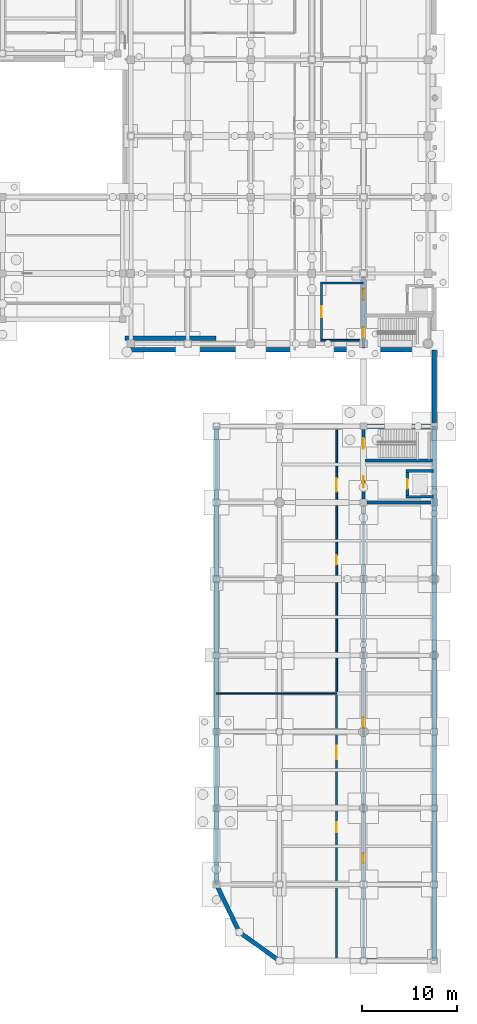
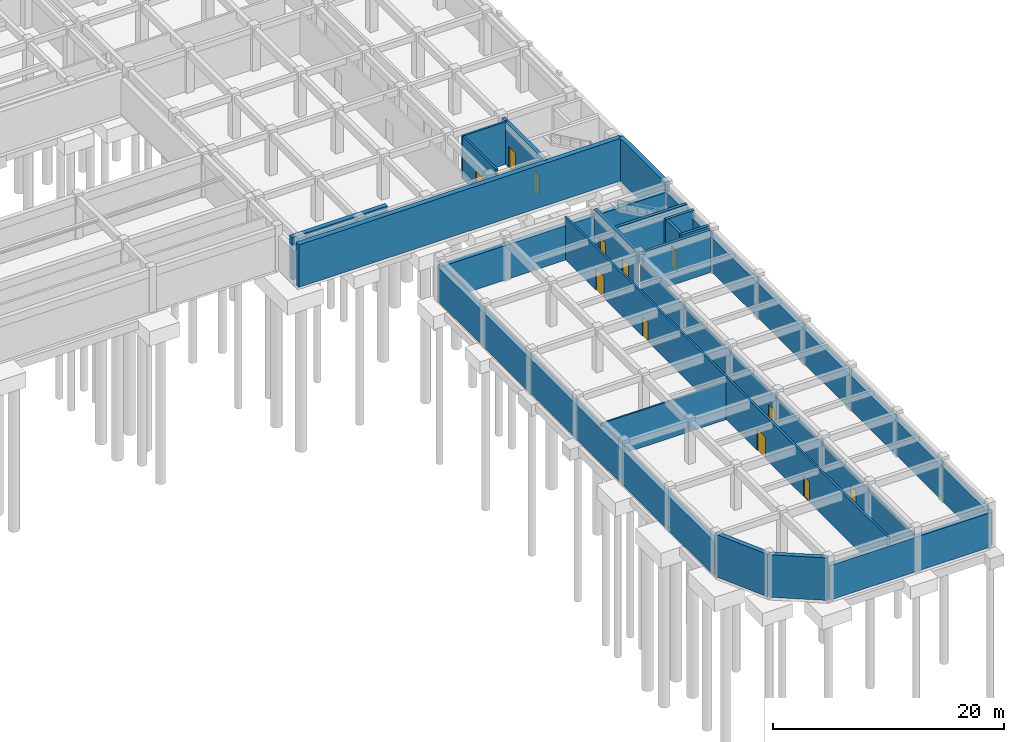
# One storey, part 26 of 35: 23 walls, 12 doors, 12 openings.
"""IFC4 building model written with IfcOpenShell, lengths in metres."""

from ifc_helpers import new_model, si_unit, direction, frame, frame_2d, origin, place, context, subcontext, project, spatial, rectangle, extrude, material, layer, layer_set, type_object, element, fill, save


model = new_model("IFC4")

# Units and contexts
model_context = context("Model", 3, precision=1e-05, world=origin(), true_north=direction((0.0, 1.0)))
body_context = subcontext(model_context, "Body", "Model", "MODEL_VIEW")
ifc_project = project(units=[si_unit("LENGTHUNIT", "METRE"), si_unit("AREAUNIT", "SQUARE_METRE"), si_unit("VOLUMEUNIT", "CUBIC_METRE"), si_unit("PLANEANGLEUNIT", "RADIAN"), si_unit("MASSUNIT", "GRAM", prefix="KILO")], contexts=[model_context])

# Site, building, storey
site_placement = place(None, origin())
site = spatial("IfcSite", under=ifc_project, at=site_placement, CompositionType="ELEMENT")
building_placement = place(site_placement, origin())
building = spatial("IfcBuilding", under=site, at=building_placement, Name="Cinchona Park Media Centre", CompositionType="ELEMENT")
storey_placement = place(building_placement, frame((0.0, 0.0, -4.800048828125)))
storey = spatial("IfcBuildingStorey", under=building, at=storey_placement, Name="B1", CompositionType="ELEMENT", Elevation=-4.800048828125)

# Wall, openings, doors
ifc_material_1 = material(Name="Acoustic Double-Stud Gypsum Partition", Category="gypsum")
ifc_layer_1 = layer(ifc_material_1, 0.2099609375)
ifc_layer_set_1 = layer_set([ifc_layer_1], Name="Acoustic Double-Stud Gypsum Partition")
wall_type_1 = type_object("IfcWallType", Name="WALL-W-AC210", PredefinedType="PARTITIONING", material=ifc_layer_set_1)
wall_1_placement = place(storey_placement, frame((161.800048828125, 7.60009765625, 0.0), z_axis=(0.0, 0.0, 1.0), x_axis=(0.0, 1.0, 0.0)))
wall_1 = element("IfcWall", 1, at=wall_1_placement, inside=storey, type_object=wall_type_1, Name="Interior Wall W-AC210 B1", PredefinedType="PARTITIONING", context=body_context, shape_type="SweptSolid", body=[
    extrude(rectangle(XDim=28.0, YDim=0.2099609375, at=frame_2d((14.0, 0.0))), origin(), (0.0, 0.0, 1.0), 4.5),
])
opening_1_placement = place(wall_1_placement, frame((13.47998046875, 0.0, 0.0)))
opening_1 = element("IfcOpeningElement", 2, at=opening_1_placement, cuts=wall_1, Name="Opening D165", PredefinedType="OPENING", context=body_context, shape_type="SweptSolid", body=[
    extrude(rectangle(XDim=1.0400390625, YDim=2.199951171875, at=frame_2d((0.52001953125, 1.10009765625))), frame((0.0, 0.114990234375, 0.0), z_axis=(0.0, -1.0, 0.0), x_axis=(1.0, 0.0, 0.0)), (0.0, 0.0, 1.0), 0.22998046875),
])
opening_2_placement = place(wall_1_placement, frame((21.139892578125, 0.0, 0.0)))
opening_2 = element("IfcOpeningElement", 3, at=opening_2_placement, cuts=wall_1, Name="Opening D166", PredefinedType="OPENING", context=body_context, shape_type="SweptSolid", body=[
    extrude(rectangle(XDim=1.39990234375, YDim=2.25, at=frame_2d((0.699951171875, 1.125))), frame((0.0, 0.114990234375, 0.0), z_axis=(0.0, -1.0, 0.0), x_axis=(1.0, 0.0, 0.0)), (0.0, 0.0, 1.0), 0.22998046875),
])
ifc_material_2 = material(Name="Acoustic Double-Seal Steel Door", Category="steel")
door_type_1 = type_object("IfcDoorType", Name="DOOR-DT-AC", OperationType="NOTDEFINED", PredefinedType="DOOR", material=ifc_material_2)
door_1_placement = place(opening_2_placement, origin())
door_1 = element("IfcDoor", 4, at=door_1_placement, inside=storey, type_object=door_type_1, Name="Interior Door D166", OperationType="SINGLE_SWING_RIGHT", OverallHeight=2.25, OverallWidth=1.39990234375, PredefinedType="DOOR", context=body_context, shape_type="SweptSolid", body=[
    extrude(rectangle(XDim=1.39990234375, YDim=2.25, at=frame_2d((0.699951171875, 1.125))), frame((0.0, 0.02490234375, 0.0), z_axis=(0.0, -1.0, 0.0), x_axis=(1.0, 0.0, 0.0)), (0.0, 0.0, 1.0), 0.050048828125),
])
fill(opening_2, door_1)
ifc_material_3 = material(Name="Fire-Rated Acoustic Timber-Steel Door", Category="steel")
door_type_2 = type_object("IfcDoorType", Name="DOOR-DT25", OperationType="NOTDEFINED", PredefinedType="DOOR", material=ifc_material_3)
door_2_placement = place(opening_1_placement, origin())
door_2 = element("IfcDoor", 5, at=door_2_placement, inside=storey, type_object=door_type_2, Name="Interior Door D165", OperationType="SINGLE_SWING_LEFT", OverallHeight=2.199951171875, OverallWidth=1.0400390625, PredefinedType="DOOR", context=body_context, shape_type="SweptSolid", body=[
    extrude(rectangle(XDim=1.0400390625, YDim=2.199951171875, at=frame_2d((0.52001953125, 1.10009765625))), frame((0.0, 0.02490234375, 0.0), z_axis=(0.0, -1.0, 0.0), x_axis=(1.0, 0.0, 0.0)), (0.0, 0.0, 1.0), 0.050048828125),
])
fill(opening_1, door_2)

# Wall
ifc_material_4 = material(Name="Concrete C40/50", Category="concrete")
ifc_layer_2 = layer(ifc_material_4, 0.300048828125)
ifc_layer_set_2 = layer_set([ifc_layer_2], Name="Concrete C40/50")
wall_type_2 = type_object("IfcWallType", Name="WALL-W-CR300", PredefinedType="SHEAR", material=ifc_layer_set_2)
wall_2_placement = place(storey_placement, frame((164.951904296875, 55.60009765625, 0.0), z_axis=(0.0, 0.0, 1.0), x_axis=(1.0, 0.0, 0.0)))
element("IfcWall", 6, at=wall_2_placement, inside=storey, type_object=wall_type_2, Name="Core Shear Wall W-CR300 B1", PredefinedType="SHEAR", context=body_context, shape_type="SweptSolid", body=[
    extrude(rectangle(XDim=6.696044921875, YDim=0.300048828125, at=frame_2d((3.34814453125, 0.0))), origin(), (0.0, 0.0, 1.0), 4.5),
])

# Wall, openings, doors
wall_3_placement = place(storey_placement, frame((164.60009765625, 55.951904296875, 0.0), z_axis=(0.0, 0.0, 1.0), x_axis=(0.0, 1.0, 0.0)))
wall_3 = element("IfcWall", 7, at=wall_3_placement, inside=storey, type_object=wall_type_2, Name="Core Shear Wall W-CR300 B1", PredefinedType="SHEAR", context=body_context, shape_type="SweptSolid", body=[
    extrude(rectangle(XDim=7.296142578125, YDim=0.300048828125, at=frame_2d((3.64794921875, 0.0))), origin(), (0.0, 0.0, 1.0), 4.5),
])
opening_3_placement = place(wall_3_placement, frame((5.298095703125, 0.0, 0.0)))
opening_3 = element("IfcOpeningElement", 8, at=opening_3_placement, cuts=wall_3, Name="Opening D040", PredefinedType="OPENING", context=body_context, shape_type="SweptSolid", body=[
    extrude(rectangle(XDim=1.10009765625, YDim=2.14990234375, at=frame_2d((0.550048828125, 1.074951171875))), frame((0.0, 0.159912109375, 0.0), z_axis=(0.0, -1.0, 0.0), x_axis=(1.0, 0.0, 0.0)), (0.0, 0.0, 1.0), 0.320068359375),
])
opening_4_placement = place(wall_3_placement, frame((1.27294921875, 0.0, 0.0)))
opening_4 = element("IfcOpeningElement", 9, at=opening_4_placement, cuts=wall_3, Name="Opening D041", PredefinedType="OPENING", context=body_context, shape_type="SweptSolid", body=[
    extrude(rectangle(XDim=1.14990234375, YDim=2.199951171875, at=frame_2d((0.574951171875, 1.10009765625))), frame((0.0, 0.159912109375, 0.0), z_axis=(0.0, -1.0, 0.0), x_axis=(1.0, 0.0, 0.0)), (0.0, 0.0, 1.0), 0.320068359375),
])
ifc_material_5 = material(Name="Insulated Fire-Rated Steel Door", Category="steel")
door_type_3 = type_object("IfcDoorType", Name="DOOR-DT-FF", OperationType="NOTDEFINED", PredefinedType="DOOR", material=ifc_material_5)
door_3_placement = place(opening_4_placement, origin())
door_3 = element("IfcDoor", 10, at=door_3_placement, inside=storey, type_object=door_type_3, Name="Interior Door D041", OperationType="SINGLE_SWING_LEFT", OverallHeight=2.199951171875, OverallWidth=1.14990234375, PredefinedType="DOOR", context=body_context, shape_type="SweptSolid", body=[
    extrude(rectangle(XDim=1.14990234375, YDim=2.199951171875, at=frame_2d((0.574951171875, 1.10009765625))), frame((0.0, 0.02490234375, 0.0), z_axis=(0.0, -1.0, 0.0), x_axis=(1.0, 0.0, 0.0)), (0.0, 0.0, 1.0), 0.050048828125),
])
fill(opening_4, door_3)
ifc_material_6 = material(Name="Insulated Fire-Rated Steel Door", Category="steel")
door_type_4 = type_object("IfcDoorType", Name="DOOR-DT-ST", OperationType="NOTDEFINED", PredefinedType="DOOR", material=ifc_material_6)
door_4_placement = place(opening_3_placement, origin())
door_4 = element("IfcDoor", 11, at=door_4_placement, inside=storey, type_object=door_type_4, Name="Interior Door D040", OperationType="SINGLE_SWING_RIGHT", OverallHeight=2.14990234375, OverallWidth=1.10009765625, PredefinedType="DOOR", context=body_context, shape_type="SweptSolid", body=[
    extrude(rectangle(XDim=1.10009765625, YDim=2.14990234375, at=frame_2d((0.550048828125, 1.074951171875))), frame((0.0, 0.02490234375, 0.0), z_axis=(0.0, -1.0, 0.0), x_axis=(1.0, 0.0, 0.0)), (0.0, 0.0, 1.0), 0.050048828125),
])
fill(opening_3, door_4)

# Wall
wall_4_placement = place(storey_placement, frame((164.75, 60.0, 0.0), z_axis=(0.0, 0.0, 1.0), x_axis=(1.0, 0.0, 0.0)))
element("IfcWall", 12, at=wall_4_placement, inside=storey, type_object=wall_type_2, Name="Core Shear Wall W-CR300 B1", PredefinedType="SHEAR", context=body_context, shape_type="SweptSolid", body=[
    extrude(rectangle(XDim=7.10009765625, YDim=0.300048828125, at=frame_2d((3.550048828125, 0.0))), origin(), (0.0, 0.0, 1.0), 4.5),
])

# Wall, openings, doors
ifc_material_7 = material(Name="Concrete C40/50", Category="concrete")
ifc_layer_3 = layer(ifc_material_7, 0.35009765625)
ifc_layer_set_3 = layer_set([ifc_layer_3], Name="Concrete C40/50")
wall_type_3 = type_object("IfcWallType", Name="WALL-W-CR350", PredefinedType="SHEAR", material=ifc_layer_set_3)
wall_5_placement = place(storey_placement, frame((164.60009765625, 71.77490234375, 0.0), z_axis=(0.0, 0.0, 1.0), x_axis=(0.0, 1.0, 0.0)))
wall_5 = element("IfcWall", 13, at=wall_5_placement, inside=storey, type_object=wall_type_3, Name="Core Shear Wall W-CR350 B1", PredefinedType="SHEAR", context=body_context, shape_type="SweptSolid", body=[
    extrude(rectangle(XDim=7.423095703125, YDim=0.35009765625, at=frame_2d((3.71142578125, 0.0))), origin(), (0.0, 0.0, 1.0), 4.5),
])
opening_5_placement = place(wall_5_placement, frame((1.074951171875, 0.0, 0.0)))
opening_5 = element("IfcOpeningElement", 14, at=opening_5_placement, cuts=wall_5, Name="Opening D026", PredefinedType="OPENING", context=body_context, shape_type="SweptSolid", body=[
    extrude(rectangle(XDim=1.10009765625, YDim=2.14990234375, at=frame_2d((0.550048828125, 1.074951171875))), frame((0.0, 0.18505859375, 0.0), z_axis=(0.0, -1.0, 0.0), x_axis=(1.0, 0.0, 0.0)), (0.0, 0.0, 1.0), 0.3701171875),
])
opening_6_placement = place(wall_5_placement, frame((5.050048828125, 0.0, 0.0)))
opening_6 = element("IfcOpeningElement", 15, at=opening_6_placement, cuts=wall_5, Name="Opening D027", PredefinedType="OPENING", context=body_context, shape_type="SweptSolid", body=[
    extrude(rectangle(XDim=1.14990234375, YDim=2.199951171875, at=frame_2d((0.574951171875, 1.10009765625))), frame((0.0, 0.18505859375, 0.0), z_axis=(0.0, -1.0, 0.0), x_axis=(1.0, 0.0, 0.0)), (0.0, 0.0, 1.0), 0.3701171875),
])
door_5_placement = place(opening_6_placement, origin())
door_5 = element("IfcDoor", 16, at=door_5_placement, inside=storey, type_object=door_type_3, Name="Interior Door D027", OperationType="SINGLE_SWING_LEFT", OverallHeight=2.199951171875, OverallWidth=1.14990234375, PredefinedType="DOOR", context=body_context, shape_type="SweptSolid", body=[
    extrude(rectangle(XDim=1.14990234375, YDim=2.199951171875, at=frame_2d((0.574951171875, 1.10009765625))), frame((0.0, 0.02490234375, 0.0), z_axis=(0.0, -1.0, 0.0), x_axis=(1.0, 0.0, 0.0)), (0.0, 0.0, 1.0), 0.050048828125),
])
fill(opening_6, door_5)
door_6_placement = place(opening_5_placement, origin())
door_6 = element("IfcDoor", 17, at=door_6_placement, inside=storey, type_object=door_type_4, Name="Interior Door D026", OperationType="SINGLE_SWING_RIGHT", OverallHeight=2.14990234375, OverallWidth=1.10009765625, PredefinedType="DOOR", context=body_context, shape_type="SweptSolid", body=[
    extrude(rectangle(XDim=1.10009765625, YDim=2.14990234375, at=frame_2d((0.550048828125, 1.074951171875))), frame((0.0, 0.02490234375, 0.0), z_axis=(0.0, -1.0, 0.0), x_axis=(1.0, 0.0, 0.0)), (0.0, 0.0, 1.0), 0.050048828125),
])
fill(opening_5, door_6)

# Wall
ifc_material_8 = material(Name="Fire-Rated Gypsum Stud Partition", Category="gypsum")
ifc_layer_4 = layer(ifc_material_8, 0.14990234375)
ifc_layer_set_4 = layer_set([ifc_layer_4], Name="Fire-Rated Gypsum Stud Partition")
wall_type_4 = type_object("IfcWallType", Name="WALL-W-PT150", PredefinedType="PARTITIONING", material=ifc_layer_set_4)
wall_6_placement = place(storey_placement, frame((149.199951171875, 35.60009765625, 0.0), z_axis=(0.0, 0.0, 1.0), x_axis=(1.0, 0.0, 0.0)))
element("IfcWall", 18, at=wall_6_placement, inside=storey, type_object=wall_type_4, Name="Interior Wall W-PT150 B1", PredefinedType="PARTITIONING", context=body_context, shape_type="SweptSolid", body=[
    extrude(rectangle(XDim=12.60009765625, YDim=0.14990234375, at=frame_2d((6.300048828125, 0.0))), origin(), (0.0, 0.0, 1.0), 3.949951171875),
])

# Wall, openings, doors
ifc_material_9 = material(Name="Fire-Rated Gypsum Stud Partition", Category="gypsum")
ifc_layer_5 = layer(ifc_material_9, 0.1650390625)
ifc_layer_set_5 = layer_set([ifc_layer_5], Name="Fire-Rated Gypsum Stud Partition")
wall_type_5 = type_object("IfcWallType", Name="WALL-W-PT165", PredefinedType="PARTITIONING", material=ifc_layer_set_5)
wall_7_placement = place(storey_placement, frame((164.60009765625, 55.248046875, 0.0), z_axis=(0.0, 0.0, 1.0), x_axis=(0.0, -1.0, 0.0)))
wall_7 = element("IfcWall", 19, at=wall_7_placement, inside=storey, type_object=wall_type_5, Name="Interior Wall W-PT165 B1", PredefinedType="PARTITIONING", context=body_context, shape_type="SweptSolid", body=[
    extrude(rectangle(XDim=47.296142578125, YDim=0.1650390625, at=frame_2d((23.64794921875, 0.0))), origin(), (0.0, 0.0, 1.0), 3.650146484375),
])
opening_7_placement = place(wall_7_placement, frame((22.179931640625, 0.0, 0.0)))
opening_7 = element("IfcOpeningElement", 20, at=opening_7_placement, cuts=wall_7, Name="Opening D169", PredefinedType="OPENING", context=body_context, shape_type="SweptSolid", body=[
    extrude(rectangle(XDim=1.0, YDim=2.10009765625, at=frame_2d((0.5, 1.050048828125))), frame((0.0, 0.092529296875, 0.0), z_axis=(0.0, -1.0, 0.0), x_axis=(1.0, 0.0, 0.0)), (0.0, 0.0, 1.0), 0.18505859375),
])
opening_8_placement = place(wall_7_placement, frame((36.39111328125, 0.0, 0.0)))
opening_8 = element("IfcOpeningElement", 21, at=opening_8_placement, cuts=wall_7, Name="Opening D170", PredefinedType="OPENING", context=body_context, shape_type="SweptSolid", body=[
    extrude(rectangle(XDim=1.0, YDim=2.10009765625, at=frame_2d((0.5, 1.050048828125))), frame((0.0, 0.092529296875, 0.0), z_axis=(0.0, -1.0, 0.0), x_axis=(1.0, 0.0, 0.0)), (0.0, 0.0, 1.0), 0.18505859375),
])
ifc_material_10 = material(Name="Fire-Rated Acoustic Timber-Steel Door", Category="steel")
door_type_5 = type_object("IfcDoorType", Name="DOOR-DT04", OperationType="NOTDEFINED", PredefinedType="DOOR", material=ifc_material_10)
door_7_placement = place(opening_7_placement, origin())
door_7 = element("IfcDoor", 22, at=door_7_placement, inside=storey, type_object=door_type_5, Name="Interior Door D169", OperationType="SINGLE_SWING_LEFT", OverallHeight=2.10009765625, OverallWidth=1.0, PredefinedType="DOOR", context=body_context, shape_type="SweptSolid", body=[
    extrude(rectangle(XDim=1.0, YDim=2.10009765625, at=frame_2d((0.5, 1.050048828125))), frame((0.0, 0.02490234375, 0.0), z_axis=(0.0, -1.0, 0.0), x_axis=(1.0, 0.0, 0.0)), (0.0, 0.0, 1.0), 0.050048828125),
])
fill(opening_7, door_7)
door_8_placement = place(opening_8_placement, origin())
door_8 = element("IfcDoor", 23, at=door_8_placement, inside=storey, type_object=door_type_5, Name="Interior Door D170", OperationType="SINGLE_SWING_RIGHT", OverallHeight=2.10009765625, OverallWidth=1.0, PredefinedType="DOOR", context=body_context, shape_type="SweptSolid", body=[
    extrude(rectangle(XDim=1.0, YDim=2.10009765625, at=frame_2d((0.5, 1.050048828125))), frame((0.0, 0.02490234375, 0.0), z_axis=(0.0, -1.0, 0.0), x_axis=(1.0, 0.0, 0.0)), (0.0, 0.0, 1.0), 0.050048828125),
])
fill(opening_8, door_8)

# Walls
ifc_material_11 = material(Name="Fire-Rated Gypsum Stud Partition", Category="gypsum")
ifc_layer_6 = layer(ifc_material_11, 0.18994140625)
ifc_layer_set_6 = layer_set([ifc_layer_6], Name="Fire-Rated Gypsum Stud Partition")
wall_type_6 = type_object("IfcWallType", Name="WALL-W-PT190", PredefinedType="PARTITIONING", material=ifc_layer_set_6)
wall_8_placement = place(storey_placement, frame((160.10498046875, 72.60009765625, 0.0), z_axis=(0.0, 0.0, 1.0), x_axis=(1.0, 0.0, 0.0)))
element("IfcWall", 24, at=wall_8_placement, inside=storey, type_object=wall_type_6, Name="Interior Wall W-PT190 B1", PredefinedType="PARTITIONING", context=body_context, shape_type="SweptSolid", body=[
    extrude(rectangle(XDim=4.093017578125, YDim=0.18994140625, at=frame_2d((2.04638671875, 0.0))), origin(), (0.0, 0.0, 1.0), 3.85009765625),
])
wall_9_placement = place(storey_placement, frame((160.10498046875, 78.60009765625, 0.0), z_axis=(0.0, 0.0, 1.0), x_axis=(1.0, 0.0, 0.0)))
element("IfcWall", 25, at=wall_9_placement, inside=storey, type_object=wall_type_6, Name="Interior Wall W-PT190 B1", PredefinedType="PARTITIONING", context=body_context, shape_type="SweptSolid", body=[
    extrude(rectangle(XDim=4.4951171875, YDim=0.18994140625, at=frame_2d((2.24755859375, 0.0))), origin(), (0.0, 0.0, 1.0), 4.5),
])

# Wall, opening, door
wall_10_placement = place(storey_placement, frame((160.199951171875, 72.695068359375, 0.0), z_axis=(0.0, 0.0, 1.0), x_axis=(0.0, 1.0, 0.0)))
wall_10 = element("IfcWall", 26, at=wall_10_placement, inside=storey, type_object=wall_type_6, Name="Interior Wall W-PT190 B1", PredefinedType="PARTITIONING", context=body_context, shape_type="SweptSolid", body=[
    extrude(rectangle(XDim=5.809814453125, YDim=0.18994140625, at=frame_2d((2.90478515625, 0.0))), origin(), (0.0, 0.0, 1.0), 4.5),
])
opening_9_placement = place(wall_10_placement, frame((2.330078125, 0.0, 0.0)))
opening_9 = element("IfcOpeningElement", 27, at=opening_9_placement, cuts=wall_10, Name="Opening D028", PredefinedType="OPENING", context=body_context, shape_type="SweptSolid", body=[
    extrude(rectangle(XDim=1.14990234375, YDim=2.199951171875, at=frame_2d((0.574951171875, 1.10009765625))), frame((0.0, 0.10498046875, 0.0), z_axis=(0.0, -1.0, 0.0), x_axis=(1.0, 0.0, 0.0)), (0.0, 0.0, 1.0), 0.2099609375),
])
door_9_placement = place(opening_9_placement, origin())
door_9 = element("IfcDoor", 28, at=door_9_placement, inside=storey, type_object=door_type_3, Name="Interior Door D028", OperationType="SINGLE_SWING_RIGHT", OverallHeight=2.199951171875, OverallWidth=1.14990234375, PredefinedType="DOOR", context=body_context, shape_type="SweptSolid", body=[
    extrude(rectangle(XDim=1.14990234375, YDim=2.199951171875, at=frame_2d((0.574951171875, 1.10009765625))), frame((0.0, 0.02490234375, 0.0), z_axis=(0.0, -1.0, 0.0), x_axis=(1.0, 0.0, 0.0)), (0.0, 0.0, 1.0), 0.050048828125),
])
fill(opening_9, door_9)

# Wall, openings, doors
wall_11_placement = place(storey_placement, frame((161.800048828125, 35.60009765625, 0.0), z_axis=(0.0, 0.0, 1.0), x_axis=(0.0, 1.0, 0.0)))
wall_11 = element("IfcWall", 29, at=wall_11_placement, inside=storey, type_object=wall_type_6, Name="Interior Wall W-PT190 B1", PredefinedType="PARTITIONING", context=body_context, shape_type="SweptSolid", body=[
    extrude(rectangle(XDim=28.0, YDim=0.18994140625, at=frame_2d((14.0, 0.0))), origin(), (0.0, 0.0, 1.0), 4.5),
])
opening_10_placement = place(wall_11_placement, frame((13.510009765625, 0.0, 0.0)))
opening_10 = element("IfcOpeningElement", 30, at=opening_10_placement, cuts=wall_11, Name="Opening D167", PredefinedType="OPENING", context=body_context, shape_type="SweptSolid", body=[
    extrude(rectangle(XDim=0.97998046875, YDim=2.10009765625, at=frame_2d((0.489990234375, 1.050048828125))), frame((0.0, 0.10498046875, 0.0), z_axis=(0.0, -1.0, 0.0), x_axis=(1.0, 0.0, 0.0)), (0.0, 0.0, 1.0), 0.2099609375),
])
opening_11_placement = place(wall_11_placement, frame((21.139892578125, 0.0, 0.0)))
opening_11 = element("IfcOpeningElement", 31, at=opening_11_placement, cuts=wall_11, Name="Opening D168", PredefinedType="OPENING", context=body_context, shape_type="SweptSolid", body=[
    extrude(rectangle(XDim=1.39990234375, YDim=2.25, at=frame_2d((0.699951171875, 1.125))), frame((0.0, 0.10498046875, 0.0), z_axis=(0.0, -1.0, 0.0), x_axis=(1.0, 0.0, 0.0)), (0.0, 0.0, 1.0), 0.2099609375),
])
door_10_placement = place(opening_11_placement, origin())
door_10 = element("IfcDoor", 32, at=door_10_placement, inside=storey, type_object=door_type_1, Name="Interior Door D168", OperationType="SINGLE_SWING_RIGHT", OverallHeight=2.25, OverallWidth=1.39990234375, PredefinedType="DOOR", context=body_context, shape_type="SweptSolid", body=[
    extrude(rectangle(XDim=1.39990234375, YDim=2.25, at=frame_2d((0.699951171875, 1.125))), frame((0.0, 0.02490234375, 0.0), z_axis=(0.0, -1.0, 0.0), x_axis=(1.0, 0.0, 0.0)), (0.0, 0.0, 1.0), 0.050048828125),
])
fill(opening_11, door_10)
ifc_material_12 = material(Name="Fire-Rated Acoustic Timber-Steel Door", Category="steel")
door_type_6 = type_object("IfcDoorType", Name="DOOR-DT03", OperationType="NOTDEFINED", PredefinedType="DOOR", material=ifc_material_12)
door_11_placement = place(opening_10_placement, origin())
door_11 = element("IfcDoor", 33, at=door_11_placement, inside=storey, type_object=door_type_6, Name="Interior Door D167", OperationType="SINGLE_SWING_LEFT", OverallHeight=2.10009765625, OverallWidth=0.97998046875, PredefinedType="DOOR", context=body_context, shape_type="SweptSolid", body=[
    extrude(rectangle(XDim=0.97998046875, YDim=2.10009765625, at=frame_2d((0.489990234375, 1.050048828125))), frame((0.0, 0.02490234375, 0.0), z_axis=(0.0, -1.0, 0.0), x_axis=(1.0, 0.0, 0.0)), (0.0, 0.0, 1.0), 0.050048828125),
])
fill(opening_10, door_11)

# Walls
ifc_material_13 = material(Name="Concrete C40/50", Category="concrete")
ifc_layer_7 = layer(ifc_material_13, 0.5)
ifc_layer_set_7 = layer_set([ifc_layer_7], Name="Concrete C40/50")
wall_type_7 = type_object("IfcWallType", Name="WALL-W-RT01", PredefinedType="USERDEFINED", material=ifc_layer_set_7)
wall_12_placement = place(storey_placement, frame((172.0, 71.60009765625, 0.0), z_axis=(0.0, 0.0, 1.0), x_axis=(-1.0, 0.0, 0.0)))
element("IfcWall", 34, at=wall_12_placement, inside=storey, type_object=wall_type_7, Name="Basement Retaining Wall W-RT01", ObjectType="RETAININGWALL", PredefinedType="USERDEFINED", context=body_context, shape_type="SweptSolid", body=[
    extrude(rectangle(XDim=32.39990234375, YDim=0.5, at=frame_2d((16.199951171875, 0.0))), origin(), (0.0, 0.0, 1.0), 4.5),
])
ifc_material_14 = material(Name="Concrete C40/50", Category="concrete")
ifc_layer_8 = layer(ifc_material_14, 0.449951171875)
ifc_layer_set_8 = layer_set([ifc_layer_8], Name="Concrete C40/50")
wall_type_8 = type_object("IfcWallType", Name="WALL-W-RT02", PredefinedType="USERDEFINED", material=ifc_layer_set_8)
wall_13_placement = place(storey_placement, frame((139.6201171875, 72.800048828125, 0.0), z_axis=(0.0, 0.0, 1.0), x_axis=(1.0, 0.0, 0.0)))
element("IfcWall", 35, at=wall_13_placement, inside=storey, type_object=wall_type_8, Name="Basement Plinth Perimeter Retaining Wall W-RT02", ObjectType="RETAININGWALL", PredefinedType="USERDEFINED", context=body_context, shape_type="SweptSolid", body=[
    extrude(rectangle(XDim=9.559814453125, YDim=0.449951171875, at=frame_2d((4.77978515625, 0.0))), origin(), (0.0, 0.0, 1.0), 4.530029296875),
])
wall_14_placement = place(storey_placement, frame((172.0, 63.6201171875, 0.0), z_axis=(0.0, 0.0, 1.0), x_axis=(0.0, 1.0, 0.0)))
element("IfcWall", 36, at=wall_14_placement, inside=storey, type_object=wall_type_8, Name="Basement Plinth Perimeter Retaining Wall W-RT02", ObjectType="RETAININGWALL", PredefinedType="USERDEFINED", context=body_context, shape_type="SweptSolid", body=[
    extrude(rectangle(XDim=7.9599609375, YDim=0.449951171875, at=frame_2d((3.97998046875, 0.0))), origin(), (0.0, 0.0, 1.0), 4.530029296875),
])
wall_15_placement = place(storey_placement, frame((151.60009765625, 10.60009765625, 0.0), z_axis=(0.0, 0.0, 1.0), x_axis=(-0.432752533251, 0.901512753634, 0.0)))
element("IfcWall", 37, at=wall_15_placement, inside=storey, type_object=wall_type_8, Name="Basement Retaining Wall W-RT02", ObjectType="RETAININGWALL", PredefinedType="USERDEFINED", context=body_context, shape_type="SweptSolid", body=[
    extrude(rectangle(XDim=5.546142578125, YDim=0.449951171875, at=frame_2d((2.77294921875, 0.0))), origin(), (0.0, 0.0, 1.0), 4.5),
])
wall_16_placement = place(storey_placement, frame((149.199951171875, 15.60009765625, 0.0), z_axis=(0.0, 0.0, 1.0), x_axis=(0.0, 1.0, 0.0)))
element("IfcWall", 38, at=wall_16_placement, inside=storey, type_object=wall_type_8, Name="Basement Retaining Wall W-RT02", ObjectType="RETAININGWALL", PredefinedType="USERDEFINED", context=body_context, shape_type="SweptSolid", body=[
    extrude(rectangle(XDim=48.0, YDim=0.449951171875, at=frame_2d((24.0, 0.0))), origin(), (0.0, 0.0, 1.0), 3.650146484375),
])
wall_17_placement = place(storey_placement, frame((149.199951171875, 63.60009765625, 0.0), z_axis=(0.0, 0.0, 1.0), x_axis=(1.0, 0.0, 0.0)))
element("IfcWall", 39, at=wall_17_placement, inside=storey, type_object=wall_type_8, Name="Basement Retaining Wall W-RT02", ObjectType="RETAININGWALL", PredefinedType="USERDEFINED", context=body_context, shape_type="SweptSolid", body=[
    extrude(rectangle(XDim=22.800048828125, YDim=0.449951171875, at=frame_2d((11.39990234375, 0.0))), origin(), (0.0, 0.0, 1.0), 3.650146484375),
])
wall_18_placement = place(storey_placement, frame((172.0, 63.60009765625, 0.0), z_axis=(0.0, 0.0, 1.0), x_axis=(0.0, -1.0, 0.0)))
element("IfcWall", 40, at=wall_18_placement, inside=storey, type_object=wall_type_8, Name="Basement Retaining Wall W-RT02", ObjectType="RETAININGWALL", PredefinedType="USERDEFINED", context=body_context, shape_type="SweptSolid", body=[
    extrude(rectangle(XDim=56.0, YDim=0.449951171875, at=frame_2d((28.0, 0.0))), origin(), (0.0, 0.0, 1.0), 3.650146484375),
])
wall_19_placement = place(storey_placement, frame((172.0, 7.60009765625, 0.0), z_axis=(0.0, 0.0, 1.0), x_axis=(-1.0, 0.0, 0.0)))
element("IfcWall", 41, at=wall_19_placement, inside=storey, type_object=wall_type_8, Name="Basement Retaining Wall W-RT02", ObjectType="RETAININGWALL", PredefinedType="USERDEFINED", context=body_context, shape_type="SweptSolid", body=[
    extrude(rectangle(XDim=16.199951171875, YDim=0.449951171875, at=frame_2d((8.10009765625, 0.0))), origin(), (0.0, 0.0, 1.0), 3.650146484375),
])
wall_20_placement = place(storey_placement, frame((155.800048828125, 7.60009765625, 0.0), z_axis=(0.0, 0.0, 1.0), x_axis=(-0.813730275137, 0.581242668191, 0.0)))
element("IfcWall", 42, at=wall_20_placement, inside=storey, type_object=wall_type_8, Name="Basement Retaining Wall W-RT02", ObjectType="RETAININGWALL", PredefinedType="USERDEFINED", context=body_context, shape_type="SweptSolid", body=[
    extrude(rectangle(XDim=5.161376953125, YDim=0.449951171875, at=frame_2d((2.58056640625, 0.0))), origin(), (0.0, 0.0, 1.0), 4.5),
])
ifc_material_15 = material(Name="Concrete C40/50", Category="concrete")
ifc_layer_9 = layer(ifc_material_15, 0.2900390625)
ifc_layer_set_9 = layer_set([ifc_layer_9], Name="Concrete C40/50")
wall_type_9 = type_object("IfcWallType", Name="WALL-W-SH290", PredefinedType="SHEAR", material=ifc_layer_set_9)
for number, where, z_axis, x_axis, name in (
    (43, (169.054931640625, 56.199951171875, 0.0), (0.0, 0.0, 1.0), (1.0, 0.0, 0.0), "Core Shear Wall W-SH290 B1"),
    (44, (169.054931640625, 58.89990234375, 0.0), (0.0, 0.0, 1.0), (1.0, 0.0, 0.0), "Core Shear Wall W-SH290 B1"),
):
    element("IfcWall", number, at=place(storey_placement, frame(where, z_axis=z_axis, x_axis=x_axis)), inside=storey, type_object=wall_type_9, Name=name, PredefinedType="SHEAR", context=body_context, shape_type="SweptSolid", body=[
        extrude(rectangle(XDim=2.89013671875, YDim=0.2900390625, at=frame_2d((1.445068359375, 0.0))), origin(), (0.0, 0.0, 1.0), 4.5),
    ])

# Wall, opening, door
wall_21_placement = place(storey_placement, frame((169.199951171875, 56.344970703125, 0.0), z_axis=(0.0, 0.0, 1.0), x_axis=(0.0, 1.0, 0.0)))
wall_21 = element("IfcWall", 45, at=wall_21_placement, inside=storey, type_object=wall_type_9, Name="Core Shear Wall W-SH290 B1", PredefinedType="SHEAR", context=body_context, shape_type="SweptSolid", body=[
    extrude(rectangle(XDim=2.409912109375, YDim=0.2900390625, at=frame_2d((1.205078125, 0.0))), origin(), (0.0, 0.0, 1.0), 4.5),
])
opening_12_placement = place(wall_21_placement, frame((0.705078125, 0.0, 0.0)))
opening_12 = element("IfcOpeningElement", 46, at=opening_12_placement, cuts=wall_21, Name="Opening LD07", PredefinedType="OPENING", context=body_context, shape_type="SweptSolid", body=[
    extrude(rectangle(XDim=1.0, YDim=2.14990234375, at=frame_2d((0.5, 1.074951171875))), frame((0.0, 0.155029296875, 0.0), z_axis=(0.0, -1.0, 0.0), x_axis=(1.0, 0.0, 0.0)), (0.0, 0.0, 1.0), 0.31005859375),
])
ifc_material_16 = material(Name="Stainless Steel Sliding Lift Landing Door", Category="steel")
door_type_7 = type_object("IfcDoorType", Name="DOOR-DT-LD2", OperationType="NOTDEFINED", PredefinedType="DOOR", material=ifc_material_16)
door_12_placement = place(opening_12_placement, origin())
door_12 = element("IfcDoor", 47, at=door_12_placement, inside=storey, type_object=door_type_7, Name="Lift Landing Door LD07", OperationType="SLIDING_TO_LEFT", OverallHeight=2.14990234375, OverallWidth=1.0, PredefinedType="DOOR", context=body_context, shape_type="SweptSolid", body=[
    extrude(rectangle(XDim=1.0, YDim=2.14990234375, at=frame_2d((0.5, 1.074951171875))), frame((0.0, 0.02490234375, 0.0), z_axis=(0.0, -1.0, 0.0), x_axis=(1.0, 0.0, 0.0)), (0.0, 0.0, 1.0), 0.050048828125),
])
fill(opening_12, door_12)

save(model, "model.ifc")
